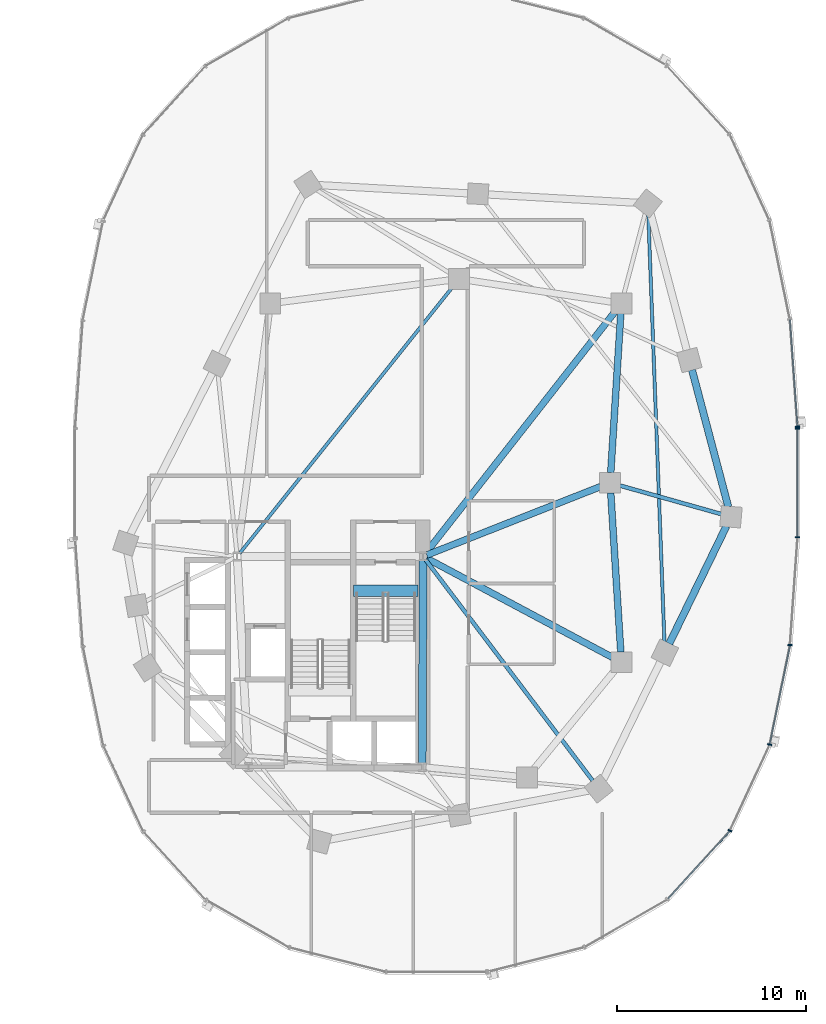
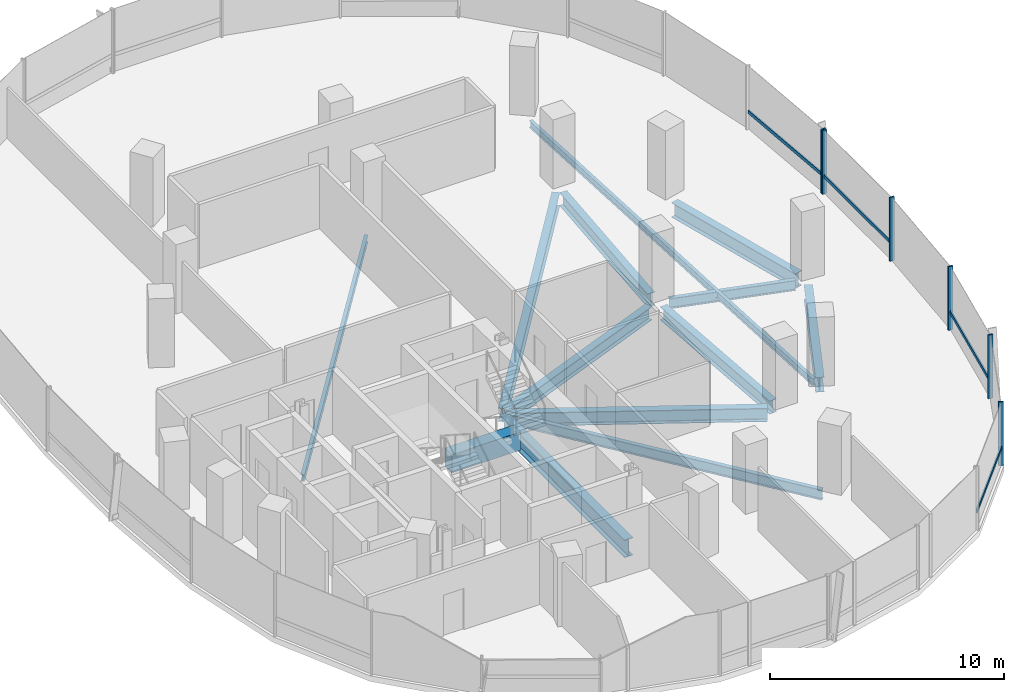
# One storey, part 6 of 20: 13 beams, 10 members, 2 elements without a shape of their own.
"""IFC4 building model written with IfcOpenShell, lengths in metres."""

from ifc_helpers import new_model, si_unit, direction, frame, origin, origin_2d, place, context, subcontext, project, spatial, rectangle, i_section, extrude, material, material_profile, profile_set, type_object, element, aggregate, save


model = new_model("IFC4")

# Units and contexts
model_context = context("Model", 3, precision=1e-05, world=origin(), true_north=direction((0.0, 1.0)))
body_context = subcontext(model_context, "Body", "Model", "MODEL_VIEW")
ifc_project = project(units=[si_unit("LENGTHUNIT", "METRE"), si_unit("AREAUNIT", "SQUARE_METRE"), si_unit("VOLUMEUNIT", "CUBIC_METRE"), si_unit("PLANEANGLEUNIT", "RADIAN"), si_unit("MASSUNIT", "GRAM", prefix="KILO"), si_unit("THERMODYNAMICTEMPERATUREUNIT", "KELVIN"), si_unit("POWERUNIT", "WATT")], contexts=[model_context])

# Site, building, storey
site_placement = place(None, origin())
site = spatial("IfcSite", under=ifc_project, at=site_placement, CompositionType="ELEMENT")
building_placement = place(site_placement, origin())
building = spatial("IfcBuilding", under=site, at=building_placement, Name="Cundina Bronze Exchange", CompositionType="ELEMENT")
storey_placement = place(building_placement, frame((0.0, 0.0, 128.60009765625)))
storey = spatial("IfcBuildingStorey", under=building, at=storey_placement, Name="L33", CompositionType="ELEMENT", Elevation=128.60009765625)

# Beams
ifc_material_1 = material(Name="Concrete C60/75", Category="concrete")
ifc_material_profile_1 = material_profile(ifc_material_1, rectangle(XDim=0.60009765625, YDim=0.949951171875, at=origin_2d()), Name="RC600X950", Category="concrete")
ifc_profile_set_1 = profile_set([ifc_material_profile_1], Name="Concrete C60/75")
beam_type_1 = type_object("IfcBeamType", Name="BM-COUP-RC950", PredefinedType="LINTEL", material=ifc_profile_set_1)
beam_1_placement = place(storey_placement, frame((27.6201171875, -5.719970703125, -0.47509765625), z_axis=(1.0, 0.0, 0.0), x_axis=(0.0, 1.0, 0.0)))
element("IfcBeam", 1, at=beam_1_placement, inside=storey, type_object=beam_type_1, Name="L33 Stair E1 Landing Header Beam", PredefinedType="LINTEL", context=body_context, shape_type="SweptSolid", body=[
    extrude(rectangle(XDim=0.60009765625, YDim=0.949951171875, at=origin_2d()), origin(), (0.0, 0.0, 1.0), 3.39990234375),
])
ifc_material_2 = material(Name="Steel ASTM A992 Grade 50", Category="steel")
ifc_material_profile_2 = material_profile(ifc_material_2, i_section(OverallWidth=0.2099609375, OverallDepth=0.532958984375, WebThickness=0.01025390625, FlangeThickness=0.015625, FilletRadius=0.013916015625, at=origin_2d()), Name="W21X62", Category="steel")
ifc_profile_set_2 = profile_set([ifc_material_profile_2], Name="Steel ASTM A992 Grade 50")
beam_type_2 = type_object("IfcBeamType", Name="BM-FLR-W21B", PredefinedType="BEAM", material=ifc_profile_set_2)
beam_2_placement = place(storey_placement, frame((31.423095703125, -4.062744140625, -0.566650390625), z_axis=(0.603095885041, -0.797668699052, 0.0), x_axis=(0.797668699052, 0.603095885041, 0.0)))
element("IfcBeam", 2, at=beam_2_placement, inside=storey, type_object=beam_type_2, Name="L33 Leg E Chordal Floor Beam 06", PredefinedType="BEAM", context=body_context, shape_type="SweptSolid", body=[
    extrude(i_section(OverallWidth=0.2099609375, OverallDepth=0.532958984375, WebThickness=0.01025390625, FlangeThickness=0.015625, FilletRadius=0.013916015625, at=origin_2d()), origin(), (0.0, 0.0, 1.0), 14.677978515625),
])
beam_3_placement = place(storey_placement, frame((41.718017578125, -0.145751953125, -0.566650390625), z_axis=(0.962654865541, -0.270731619598, 0.0), x_axis=(0.270731619598, 0.962654865541, 0.0)))
element("IfcBeam", 3, at=beam_3_placement, inside=storey, type_object=beam_type_2, Name="L33 Leg E Chordal Floor Beam 08", PredefinedType="BEAM", context=body_context, shape_type="SweptSolid", body=[
    extrude(i_section(OverallWidth=0.2099609375, OverallDepth=0.532958984375, WebThickness=0.01025390625, FlangeThickness=0.015625, FilletRadius=0.013916015625, at=origin_2d()), origin(), (0.0, 0.0, 1.0), 5.572021484375),
])
ifc_material_profile_3 = material_profile(ifc_material_2, i_section(OverallWidth=0.172119140625, OverallDepth=0.35791015625, WebThickness=0.0078125, FlangeThickness=0.01318359375, FilletRadius=0.010009765625, at=origin_2d()), Name="W14X38", Category="steel")
ifc_profile_set_3 = profile_set([ifc_material_profile_3], Name="Steel ASTM A992 Grade 50")
beam_type_3 = type_object("IfcBeamType", Name="BM-JST-W14", PredefinedType="JOIST", material=ifc_profile_set_3)
beam_4_placement = place(storey_placement, frame((21.577392578125, -3.740478515625, -0.47900390625), z_axis=(0.62436887964, 0.781129632095, 0.0), x_axis=(-0.781129632095, 0.62436887964, 0.0)))
element("IfcBeam", 4, at=beam_4_placement, inside=storey, type_object=beam_type_3, Name="L33 E Interior Core-to-Ring Joist 2", PredefinedType="JOIST", context=body_context, shape_type="SweptSolid", body=[
    extrude(i_section(OverallWidth=0.172119140625, OverallDepth=0.35791015625, WebThickness=0.0078125, FlangeThickness=0.01318359375, FilletRadius=0.010009765625, at=origin_2d()), origin(), (0.0, 0.0, 1.0), 18.076904296875),
])
beam_5_placement = place(storey_placement, frame((44.07958984375, -8.46240234375, -0.47900390625), z_axis=(-0.03778951385, 0.999285721224, 0.0), x_axis=(-0.999285721224, -0.03778951385, 0.0)))
element("IfcBeam", 5, at=beam_5_placement, inside=storey, type_object=beam_type_3, Name="L33 Leg E Lobe Floor Joist 07-10", PredefinedType="JOIST", context=body_context, shape_type="SweptSolid", body=[
    extrude(i_section(OverallWidth=0.172119140625, OverallDepth=0.35791015625, WebThickness=0.0078125, FlangeThickness=0.01318359375, FilletRadius=0.010009765625, at=origin_2d()), origin(), (0.0, 0.0, 1.0), 22.7412109375),
])
ifc_material_profile_4 = material_profile(ifc_material_2, i_section(OverallWidth=0.35498046875, OverallDepth=0.695068359375, WebThickness=0.015380859375, FlangeThickness=0.02490234375, FilletRadius=0.01806640625, at=origin_2d()), Name="W27X146", Category="steel")
ifc_profile_set_4 = profile_set([ifc_material_profile_4], Name="Steel ASTM A992 Grade 50")
beam_type_4 = type_object("IfcBeamType", Name="BM-RING-W27", PredefinedType="USERDEFINED", material=ifc_profile_set_4)
for number, where, z_axis, x_axis, name in (
    (6, (41.76611328125, -8.963134765625, -0.647705078125), (-0.06303715519, 0.998011180832, 0.0), (-0.998011180832, -0.06303715519, 0.0), "L33 E Inner Structural Ring Girder 03"),
    (7, (41.23388671875, 0.536865234375, -0.647705078125), (0.06303715519, 0.998011180832, 0.0), (-0.998011180832, 0.06303715519, 0.0), "L33 E Inner Structural Ring Girder 04"),
):
    element("IfcBeam", number, at=place(storey_placement, frame(where, z_axis=z_axis, x_axis=x_axis)), inside=storey, type_object=beam_type_4, Name=name, ObjectType="GIRDER", PredefinedType="USERDEFINED", context=body_context, shape_type="SweptSolid", body=[
        extrude(i_section(OverallWidth=0.35498046875, OverallDepth=0.695068359375, WebThickness=0.015380859375, FlangeThickness=0.02490234375, FilletRadius=0.01806640625, at=origin_2d()), origin(), (0.0, 0.0, 1.0), 8.443115234375),
    ])
beam_6_placement = place(storey_placement, frame((31.48974609375, -3.8251953125, -0.647705078125), z_axis=(0.930413235418, 0.366512225388, 0.0), x_axis=(-0.366512225388, 0.930413235418, 0.0)))
element("IfcBeam", 8, at=beam_6_placement, inside=storey, type_object=beam_type_4, Name="L33 E Core-to-Waist Tie Beam 1", ObjectType="GIRDER", PredefinedType="USERDEFINED", context=body_context, shape_type="SweptSolid", body=[
    extrude(i_section(OverallWidth=0.35498046875, OverallDepth=0.695068359375, WebThickness=0.015380859375, FlangeThickness=0.02490234375, FilletRadius=0.01806640625, at=origin_2d()), origin(), (0.0, 0.0, 1.0), 9.8984375),
])
beam_7_placement = place(storey_placement, frame((31.47998046875, -3.99609375, -0.647705078125), z_axis=(0.882354758239, -0.470584828286, 0.0), x_axis=(0.470584828286, 0.882354758239, 0.0)))
element("IfcBeam", 9, at=beam_7_placement, inside=storey, type_object=beam_type_4, Name="L33 E Core-to-Waist Tie Beam 2", ObjectType="GIRDER", PredefinedType="USERDEFINED", context=body_context, shape_type="SweptSolid", body=[
    extrude(i_section(OverallWidth=0.35498046875, OverallDepth=0.695068359375, WebThickness=0.015380859375, FlangeThickness=0.02490234375, FilletRadius=0.01806640625, at=origin_2d()), origin(), (0.0, 0.0, 1.0), 11.157958984375),
])
beam_8_placement = place(storey_placement, frame((31.42578125, -3.739501953125, -0.647705078125), z_axis=(0.616789275748, 0.787128318206, 0.0), x_axis=(-0.787128318206, 0.616789275748, 0.0)))
element("IfcBeam", 10, at=beam_8_placement, inside=storey, type_object=beam_type_4, Name="L33 E Core-to-Waist Tie Beam 3", ObjectType="GIRDER", PredefinedType="USERDEFINED", context=body_context, shape_type="SweptSolid", body=[
    extrude(i_section(OverallWidth=0.35498046875, OverallDepth=0.695068359375, WebThickness=0.015380859375, FlangeThickness=0.02490234375, FilletRadius=0.01806640625, at=origin_2d()), origin(), (0.0, 0.0, 1.0), 16.281982421875),
])
ifc_material_profile_5 = material_profile(ifc_material_2, i_section(OverallWidth=0.381103515625, OverallDepth=0.77294921875, WebThickness=0.0166015625, FlangeThickness=0.027099609375, FilletRadius=0.01904296875, at=origin_2d()), Name="W30X173", Category="steel")
ifc_profile_set_5 = profile_set([ifc_material_profile_5], Name="Steel ASTM A992 Grade 50")
beam_type_5 = type_object("IfcBeamType", Name="BM-RING-W30", PredefinedType="USERDEFINED", material=ifc_profile_set_5)
beam_9_placement = place(storey_placement, frame((44.335205078125, -8.51611328125, -0.6865234375), z_axis=(0.437193894283, 0.899367276924, 0.0), x_axis=(-0.899367276924, 0.437193894283, 0.0)))
element("IfcBeam", 11, at=beam_9_placement, inside=storey, type_object=beam_type_5, Name="L33 E Perimeter Ring Girder 07", ObjectType="GIRDER", PredefinedType="USERDEFINED", context=body_context, shape_type="SweptSolid", body=[
    extrude(i_section(OverallWidth=0.381103515625, OverallDepth=0.77294921875, WebThickness=0.0166015625, FlangeThickness=0.027099609375, FilletRadius=0.01904296875, at=origin_2d()), origin(), (0.0, 0.0, 1.0), 6.929443359375),
])
beam_10_placement = place(storey_placement, frame((47.462158203125, -1.280029296875, -0.6865234375), z_axis=(-0.256209719931, 0.966621218168, 0.0), x_axis=(-0.966621218168, -0.256209719931, 0.0)))
element("IfcBeam", 12, at=beam_10_placement, inside=storey, type_object=beam_type_5, Name="L33 E Perimeter Ring Girder 08", ObjectType="GIRDER", PredefinedType="USERDEFINED", context=body_context, shape_type="SweptSolid", body=[
    extrude(i_section(OverallWidth=0.381103515625, OverallDepth=0.77294921875, WebThickness=0.0166015625, FlangeThickness=0.027099609375, FilletRadius=0.01904296875, at=origin_2d()), origin(), (0.0, 0.0, 1.0), 7.5107421875),
])
ifc_material_profile_6 = material_profile(ifc_material_2, i_section(OverallWidth=0.41796875, OverallDepth=0.927001953125, WebThickness=0.019287109375, FlangeThickness=0.031982421875, FilletRadius=0.02392578125, at=origin_2d()), Name="W36X231", Category="steel")
ifc_profile_set_6 = profile_set([ifc_material_profile_6], Name="Steel ASTM A992 Grade 50")
beam_type_6 = type_object("IfcBeamType", Name="BM-WRN-W36B", PredefinedType="USERDEFINED", material=ifc_profile_set_6)
beam_11_placement = place(storey_placement, frame((31.2509765625, -14.845947265625, -0.763671875), z_axis=(0.004477329608, 0.99998997671, 0.0), x_axis=(-0.99998997671, 0.004477329608, 0.0)))
element("IfcBeam", 13, at=beam_11_placement, inside=storey, type_object=beam_type_6, Name="L33 E Core Perimeter Tie Girder 4", ObjectType="GIRDER", PredefinedType="USERDEFINED", context=body_context, shape_type="SweptSolid", body=[
    extrude(i_section(OverallWidth=0.41796875, OverallDepth=0.927001953125, WebThickness=0.019287109375, FlangeThickness=0.031982421875, FilletRadius=0.02392578125, at=origin_2d()), origin(), (0.0, 0.0, 1.0), 10.741943359375),
])

# Curtain wall, member
ifc_material_3 = material(Name="Anodised Bronze Aluminium 6063-T6", Category="aluminium")
curtain_wall_type = type_object("IfcCurtainWallType", Name="CWS-TRD-MID", PredefinedType="NOTDEFINED", material=ifc_material_3)
curtain_wall_1_placement = place(storey_placement, origin())
curtain_wall_1 = element("IfcCurtainWall", 14, at=curtain_wall_1_placement, inside=storey, type_object=curtain_wall_type, Name="L33 CW-03 Curtain Wall Run CWR-L33-E1", PredefinedType="NOTDEFINED")
ifc_material_profile_7 = material_profile(ifc_material_3, rectangle(XDim=0.074951171875, YDim=0.219970703125, at=origin_2d()), Name="AL75X220", Category="aluminium")
ifc_profile_set_7 = profile_set([ifc_material_profile_7], Name="Anodised Bronze Aluminium 6063-T6")
member_type_1 = type_object("IfcMemberType", Name="CWM-MUL-220", PredefinedType="MULLION", material=ifc_profile_set_7)
member_1_placement = place(storey_placement, frame((51.12451171875, 2.976318359375, 0.0), z_axis=(0.0, 0.0, 1.0), x_axis=(-0.070278787473, 0.997527389113, 0.0)))
member_1 = element("IfcMember", 15, at=member_1_placement, type_object=member_type_1, Name="CW-03 Mullion 1", PredefinedType="MULLION", context=body_context, shape_type="SweptSolid", body=[
    extrude(rectangle(XDim=0.074951171875, YDim=0.219970703125, at=origin_2d()), origin(), (0.0, 0.0, 1.0), 3.31982421875),
])

# Curtain wall, members
curtain_wall_2_placement = place(storey_placement, origin())
curtain_wall_2 = element("IfcCurtainWall", 16, at=curtain_wall_2_placement, inside=storey, type_object=curtain_wall_type, Name="L33 CW-03 Curtain Wall Run CWR-L33-E4", PredefinedType="NOTDEFINED")
member_2_placement = place(storey_placement, frame((47.544189453125, -18.423583984375, 0.0), z_axis=(0.0, 0.0, 1.0), x_axis=(0.42087749791, 0.907117485088, 0.0)))
member_2 = element("IfcMember", 17, at=member_2_placement, type_object=member_type_1, Name="CW-03 Mullion 4", PredefinedType="MULLION", context=body_context, shape_type="SweptSolid", body=[
    extrude(rectangle(XDim=0.074951171875, YDim=0.219970703125, at=origin_2d()), origin(), (0.0, 0.0, 1.0), 3.31982421875),
])
member_3_placement = place(storey_placement, frame((49.651123046875, -13.861328125, 0.0), z_axis=(0.0, 0.0, 1.0), x_axis=(0.201419845156, 0.979505000486, 0.0)))
member_3 = element("IfcMember", 18, at=member_3_placement, type_object=member_type_1, Name="CW-03 Mullion 5", PredefinedType="MULLION", context=body_context, shape_type="SweptSolid", body=[
    extrude(rectangle(XDim=0.074951171875, YDim=0.219970703125, at=origin_2d()), origin(), (0.0, 0.0, 1.0), 3.31982421875),
])
member_4_placement = place(storey_placement, frame((50.72900390625, -8.591552734375, 0.0), z_axis=(0.0, 0.0, 1.0), x_axis=(0.070278787473, 0.997527389113, 0.0)))
member_4 = element("IfcMember", 19, at=member_4_placement, type_object=member_type_1, Name="CW-03 Mullion 6", PredefinedType="MULLION", context=body_context, shape_type="SweptSolid", body=[
    extrude(rectangle(XDim=0.074951171875, YDim=0.219970703125, at=origin_2d()), origin(), (0.0, 0.0, 1.0), 3.31982421875),
])
member_5_placement = place(storey_placement, frame((51.1279296875, -2.880615234375, 0.0), z_axis=(0.0, 0.0, 1.0), x_axis=(0.0, 1.0, 0.0)))
member_5 = element("IfcMember", 20, at=member_5_placement, type_object=member_type_1, Name="CW-03 Mullion 7", PredefinedType="MULLION", context=body_context, shape_type="SweptSolid", body=[
    extrude(rectangle(XDim=0.074951171875, YDim=0.219970703125, at=origin_2d()), origin(), (0.0, 0.0, 1.0), 3.31982421875),
])
member_6_placement = place(storey_placement, frame((51.1279296875, 2.880615234375, 0.0), z_axis=(0.0, 0.0, 1.0), x_axis=(0.0, 1.0, 0.0)))
member_6 = element("IfcMember", 21, at=member_6_placement, type_object=member_type_1, Name="CW-03 End Mullion", PredefinedType="MULLION", context=body_context, shape_type="SweptSolid", body=[
    extrude(rectangle(XDim=0.074951171875, YDim=0.219970703125, at=origin_2d()), origin(), (0.0, 0.0, 1.0), 3.31982421875),
])

# Member
ifc_material_profile_8 = material_profile(ifc_material_3, rectangle(XDim=0.070068359375, YDim=0.179931640625, at=origin_2d()), Name="AL70X180", Category="aluminium")
ifc_profile_set_8 = profile_set([ifc_material_profile_8], Name="Anodised Bronze Aluminium 6063-T6")
member_type_2 = type_object("IfcMemberType", Name="CWM-TRN-180", PredefinedType="USERDEFINED", material=ifc_profile_set_8)
member_7_placement = place(storey_placement, frame((51.12158203125, 3.017333984375, 0.919921875), z_axis=(-0.070260714471, 0.997528662246, 0.0), x_axis=(-0.997528662246, -0.070260714471, 0.0)))
member_7 = element("IfcMember", 22, at=member_7_placement, type_object=member_type_2, Name="CW-03 Spandrel Transom 1", ObjectType="TRANSOM", PredefinedType="USERDEFINED", context=body_context, shape_type="SweptSolid", body=[
    extrude(rectangle(XDim=0.070068359375, YDim=0.179931640625, at=origin_2d()), origin(), (0.0, 0.0, 1.0), 5.629150390625),
])

aggregate(curtain_wall_1, [member_1, member_7])

member_8_placement = place(storey_placement, frame((44.26708984375, -22.027099609375, 0.919921875), z_axis=(0.674302794847, 0.738454968743, 0.0), x_axis=(-0.738454968743, 0.674302794847, 0.0)))
member_8 = element("IfcMember", 23, at=member_8_placement, type_object=member_type_2, Name="CW-03 Spandrel Transom 3", ObjectType="TRANSOM", PredefinedType="USERDEFINED", context=body_context, shape_type="SweptSolid", body=[
    extrude(rectangle(XDim=0.070068359375, YDim=0.179931640625, at=origin_2d()), origin(), (0.0, 0.0, 1.0), 4.848388671875),
])

member_9_placement = place(storey_placement, frame((49.659423828125, -13.821044921875, 0.919921875), z_axis=(0.201427712708, 0.979503382615, 0.0), x_axis=(-0.979503382615, 0.201427712708, 0.0)))
member_9 = element("IfcMember", 24, at=member_9_placement, type_object=member_type_2, Name="CW-03 Spandrel Transom 5", ObjectType="TRANSOM", PredefinedType="USERDEFINED", context=body_context, shape_type="SweptSolid", body=[
    extrude(rectangle(XDim=0.070068359375, YDim=0.179931640625, at=origin_2d()), origin(), (0.0, 0.0, 1.0), 5.291748046875),
])

member_10_placement = place(storey_placement, frame((51.1279296875, -2.839111328125, 0.919921875), z_axis=(0.0, 1.0, 0.0), x_axis=(-1.0, 0.0, 0.0)))
member_10 = element("IfcMember", 25, at=member_10_placement, type_object=member_type_2, Name="CW-03 Spandrel Transom 7", ObjectType="TRANSOM", PredefinedType="USERDEFINED", context=body_context, shape_type="SweptSolid", body=[
    extrude(rectangle(XDim=0.070068359375, YDim=0.179931640625, at=origin_2d()), origin(), (0.0, 0.0, 1.0), 5.67822265625),
])

aggregate(curtain_wall_2, [member_8, member_2, member_3, member_9, member_4, member_5, member_6, member_10])

save(model, "model.ifc")
